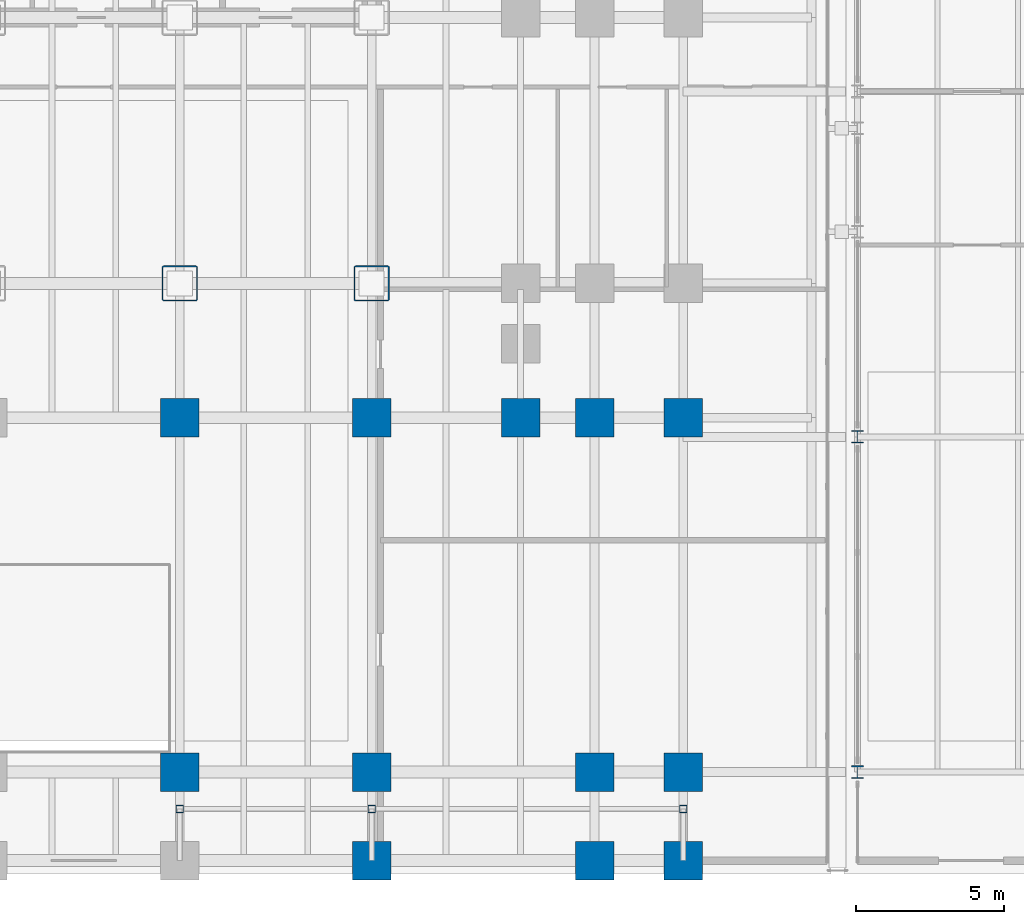
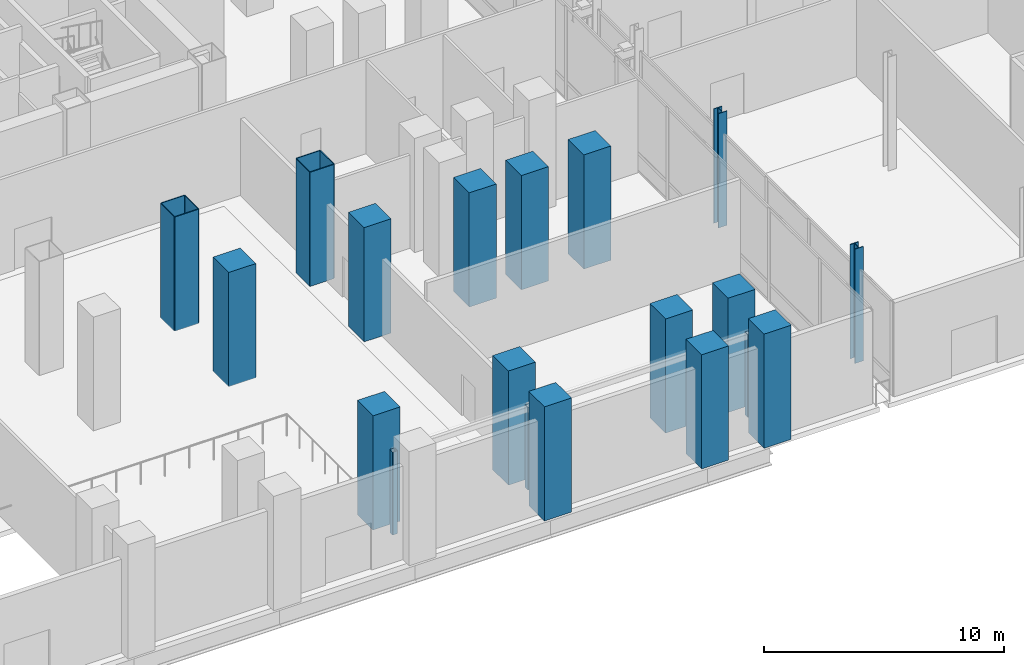
# One storey, part 2 of 36: 19 columns.
"""IFC4 building model written with IfcOpenShell, lengths in metres."""

import ifcopenshell
import ifcopenshell.guid

model = None  # the IFC model being written
_history = None  # IfcOwnerHistory: only IFC2X3 demands one
_inside = {}  # id of a spatial element -> (the spatial element, [elements in it])
_under = {}  # id of a project, library or spatial element -> (it, [spatial elements below it])
_declared = {}  # id of a project -> (the project, [libraries it declares])
_typed = {}  # id of a type object -> (the type object, [elements of that type])
_made_of = {}  # id of a material, layer set ... -> (it, [elements and type objects made of it])


def new_model(schema):
    """Start an empty IFC model of exactly this schema.

    Asked for "IFC4X3", IfcOpenShell would pick the latest addendum, in which some entities
    have other attributes; the version numbers below select the first issue.
    IFC2X3 requires an IfcOwnerHistory on every rooted entity: one is made here for all.
    """
    global model, _history
    if schema == "IFC4X3":
        model = ifcopenshell.file(schema_version=(4, 3, 0, 0))
    else:
        model = ifcopenshell.file(schema=schema)
    _inside.clear()
    _under.clear()
    _declared.clear()
    _typed.clear()
    _made_of.clear()
    _history = None
    if model.schema == "IFC2X3":
        org = make("IfcOrganization", Name="unknown")
        user = make(
            "IfcPersonAndOrganization",
            ThePerson=make("IfcPerson", FamilyName="unknown"),
            TheOrganization=org,
        )
        app = make(
            "IfcApplication",
            ApplicationDeveloper=org,
            Version="unknown",
            ApplicationFullName="unknown",
            ApplicationIdentifier="unknown",
        )
        _history = make(
            "IfcOwnerHistory",
            OwningUser=user,
            OwningApplication=app,
            ChangeAction="ADDED",
            CreationDate=0,
        )
    return model


def make(cls, **values):
    """One entity of the class cls with the attributes given. An attribute that is None is left unset."""
    return model.create_entity(
        cls, **{name: value for name, value in values.items() if value is not None}
    )


def rooted(cls, **values):
    """An entity with a GlobalId (a new one), such as an element, a storey or a relation."""
    return make(cls, GlobalId=ifcopenshell.guid.new(), OwnerHistory=_history, **values)


def si_unit(unit_type, name, prefix=None):
    """IfcSIUnit, for example si_unit("LENGTHUNIT", "METRE", prefix="MILLI")."""
    return make("IfcSIUnit", UnitType=unit_type, Prefix=prefix, Name=name)


def assignment(units):
    """IfcUnitAssignment: the units of a project."""
    return None if units is None else make("IfcUnitAssignment", Units=units)


def point(xyz):
    """IfcCartesianPoint."""
    return None if xyz is None else make("IfcCartesianPoint", Coordinates=xyz)


def direction(xyz):
    """IfcDirection."""
    return None if xyz is None else make("IfcDirection", DirectionRatios=xyz)


def frame(location, z_axis=None, x_axis=None):
    """IfcAxis2Placement3D, a coordinate frame: its origin and axes. An axis left out is left unset."""
    return make(
        "IfcAxis2Placement3D",
        Location=point(location),
        Axis=direction(z_axis),
        RefDirection=direction(x_axis),
    )


def frame_2d(location, x_axis=None):
    """IfcAxis2Placement2D, a coordinate frame in the plane: its origin and x axis."""
    return make(
        "IfcAxis2Placement2D", Location=point(location), RefDirection=direction(x_axis)
    )


def origin():
    """The frame at (0, 0, 0) with its axes left unset."""
    return frame((0.0, 0.0, 0.0))


def origin_2d():
    """The frame at (0, 0) in the plane with its x axis left unset."""
    return frame_2d((0.0, 0.0))


def place(relative_to, where):
    """IfcLocalPlacement: puts the frame where relative to a parent placement (None: the world)."""
    return make(
        "IfcLocalPlacement", PlacementRelTo=relative_to, RelativePlacement=where
    )


def context(
    kind, dimensions, precision=None, world=None, true_north=None, identifier=None
):
    """IfcGeometricRepresentationContext, for example the 3D "Model" context."""
    return make(
        "IfcGeometricRepresentationContext",
        ContextIdentifier=identifier,
        ContextType=kind,
        CoordinateSpaceDimension=dimensions,
        Precision=precision,
        WorldCoordinateSystem=world,
        TrueNorth=true_north,
    )


def subcontext(parent, identifier, kind, view, scale=None):
    """IfcGeometricRepresentationSubContext, for example "Body" below "Model"."""
    return make(
        "IfcGeometricRepresentationSubContext",
        ContextIdentifier=identifier,
        ContextType=kind,
        ParentContext=parent,
        TargetScale=scale,
        TargetView=view,
    )


def project(units=None, contexts=None):
    """IfcProject with its units and contexts."""
    return rooted(
        "IfcProject",
        Name="project",
        RepresentationContexts=contexts,
        UnitsInContext=assignment(units),
    )


def spatial(cls, under=None, at=None, **own):
    """A site, building, storey or space (cls), placed at a placement, below another one or the project."""
    s = rooted(cls, ObjectPlacement=at, **own)
    if under is not None:
        _under.setdefault(under.id(), (under, []))[1].append(s)
    return s


def profile(cls, at=None, kind="AREA", **sizes):
    """A parametric profile (cls). Its sizes go by their IFC names, for example OverallWidth=200.0."""
    return make(cls, ProfileType=kind, Position=at, **sizes)


def rectangle(**sizes):
    """IfcRectangleProfileDef."""
    return profile("IfcRectangleProfileDef", **sizes)


def hollow_rectangle(**sizes):
    """IfcRectangleHollowProfileDef."""
    return profile("IfcRectangleHollowProfileDef", **sizes)


def i_section(**sizes):
    """IfcIShapeProfileDef."""
    return profile("IfcIShapeProfileDef", **sizes)


def extrude(swept, where, along, depth):
    """IfcExtrudedAreaSolid: the profile swept, set in the frame where, extruded along a direction by depth."""
    return make(
        "IfcExtrudedAreaSolid",
        SweptArea=swept,
        Position=where,
        ExtrudedDirection=direction(along),
        Depth=depth,
    )


def shape(context_of_items, identifier, shape_type, items):
    """IfcShapeRepresentation: the items that make up one representation, for example the "Body"."""
    return make(
        "IfcShapeRepresentation",
        ContextOfItems=context_of_items,
        RepresentationIdentifier=identifier,
        RepresentationType=shape_type,
        Items=items,
    )


def material(Name=None, Category=None):
    """IfcMaterial."""
    return make("IfcMaterial", Name=Name, Category=Category)


def material_profile(
    of_material, cross_section, Name=None, Category=None, Priority=None
):
    """IfcMaterialProfile: a cross section and its material."""
    return make(
        "IfcMaterialProfile",
        Name=Name,
        Material=of_material,
        Profile=cross_section,
        Priority=Priority,
        Category=Category,
    )


def profile_set(profiles, Name=None, composite=None):
    """IfcMaterialProfileSet."""
    return make(
        "IfcMaterialProfileSet",
        Name=Name,
        MaterialProfiles=profiles,
        CompositeProfile=composite,
    )


def made_of(thing, what):
    """Note that an element or type object is made of a material, layer set ...; save() writes the relation."""
    if what is not None:
        _made_of.setdefault(what.id(), (what, []))[1].append(thing)
    return thing


def type_object(cls, material=None, **own):
    """A type object (cls), such as IfcWallType, which elements share."""
    return made_of(rooted(cls, **own), material)


def element(
    cls,
    number,
    at=None,
    inside=None,
    cuts=None,
    type_object=None,
    material=None,
    context=None,
    identifier="Body",
    shape_type=None,
    held_by="IfcProductDefinitionShape",
    body=None,
    shapes=None,
    **own,
):
    """One element of the class cls, such as IfcWall. Its Tag is "e" and its number.

    at: its placement. inside: the storey or other place that contains it. cuts: it is an
    opening in that element (IfcRelVoidsElement). A single representation is given by context,
    identifier, shape_type and body (its items); several are given by shapes. held_by: the class
    of the entity that holds the representations. save() writes the other relations.
    """
    e = rooted(cls, Tag="e%d" % number, ObjectPlacement=at, **own)
    if body is not None:
        shapes = [shape(context, identifier, shape_type, body)]
    if shapes is not None:
        e.Representation = make(held_by, Representations=shapes)
    if inside is not None:
        _inside.setdefault(inside.id(), (inside, []))[1].append(e)
    if cuts is not None:
        rooted(
            "IfcRelVoidsElement", RelatingBuildingElement=cuts, RelatedOpeningElement=e
        )
    if type_object is not None:
        _typed.setdefault(type_object.id(), (type_object, []))[1].append(e)
    return made_of(e, material)


def aggregate(whole, parts):
    """IfcRelAggregates: a whole, such as a stair, and the parts it consists of."""
    return rooted("IfcRelAggregates", RelatingObject=whole, RelatedObjects=parts)


def save(model, path):
    """Write the relations noted so far, then the file.

    IfcRelAggregates (storeys below a building ...), IfcRelContainedInSpatialStructure (elements
    in a storey), IfcRelDefinesByType, IfcRelAssociatesMaterial and IfcRelDeclares: one each for
    every whole, place, type object, material and project.
    """
    for whole, parts in _under.values():
        aggregate(whole, parts)
    for where, things in _inside.values():
        rooted(
            "IfcRelContainedInSpatialStructure",
            RelatedElements=things,
            RelatingStructure=where,
        )
    for kind, things in _typed.values():
        rooted("IfcRelDefinesByType", RelatedObjects=things, RelatingType=kind)
    for what, things in _made_of.values():
        rooted("IfcRelAssociatesMaterial", RelatedObjects=things, RelatingMaterial=what)
    for by, libraries in _declared.values():
        rooted("IfcRelDeclares", RelatingContext=by, RelatedDefinitions=libraries)
    model.write(path)


model = new_model("IFC4")

# Units and contexts
model_context = context("Model", 3, precision=1e-05, world=origin(), true_north=direction((0.0, 1.0)))
body_context = subcontext(model_context, "Body", "Model", "MODEL_VIEW")
ifc_project = project(units=[si_unit("LENGTHUNIT", "METRE"), si_unit("AREAUNIT", "SQUARE_METRE"), si_unit("VOLUMEUNIT", "CUBIC_METRE"), si_unit("PLANEANGLEUNIT", "RADIAN"), si_unit("MASSUNIT", "GRAM", prefix="KILO")], contexts=[model_context])

# Site, building, storey
site_placement = place(None, origin())
site = spatial("IfcSite", under=ifc_project, at=site_placement, CompositionType="ELEMENT")
building_placement = place(site_placement, origin())
building = spatial("IfcBuilding", under=site, at=building_placement, Name="Noeulbin Bourse Tower", CompositionType="ELEMENT")
storey_placement = place(building_placement, origin())
storey = spatial("IfcBuildingStorey", under=building, at=storey_placement, Name="L01", CompositionType="ELEMENT", Elevation=0.0)

# Columns
ifc_material_1 = material(Name="Steel S355", Category="steel")
ifc_material_profile_1 = material_profile(ifc_material_1, hollow_rectangle(XDim=0.25, YDim=0.25, WallThickness=0.010009765625, InnerFilletRadius=0.010009765625, OuterFilletRadius=0.02001953125, at=origin_2d()), Name="SHS-250x250x10", Category="LoadBearing")
ifc_profile_set_1 = profile_set([ifc_material_profile_1], Name="Steel S355")
column_type_1 = type_object("IfcColumnType", Name="COL-CAN-250", PredefinedType="COLUMN", material=ifc_profile_set_1)
for number, where, z_axis, x_axis, name in (
    (1, (37.5, 2.199951171875, 0.0), (0.0, 0.0, 1.0), (1.0, 0.0, 0.0), "Station Canopy Post C-CN1-1"),
    (2, (44.0, 2.199951171875, 0.0), (0.0, 0.0, 1.0), (1.0, 0.0, 0.0), "Station Canopy Post C-CN1-2"),
    (3, (54.550048828125, 2.199951171875, 0.0), (0.0, 0.0, 1.0), (1.0, 0.0, 0.0), "Station Canopy Post C-CN1-3"),
):
    element("IfcColumn", number, at=place(storey_placement, frame(where, z_axis=z_axis, x_axis=x_axis)), inside=storey, type_object=column_type_1, Name=name, PredefinedType="COLUMN", context=body_context, shape_type="SweptSolid", body=[
        extrude(hollow_rectangle(XDim=0.25, YDim=0.25, WallThickness=0.010009765625, InnerFilletRadius=0.010009765625, OuterFilletRadius=0.02001953125, at=origin_2d()), origin(), (0.0, 0.0, 1.0), 4.199951171875),
    ])
ifc_material_profile_2 = material_profile(ifc_material_1, i_section(OverallWidth=0.406982421875, OverallDepth=0.427978515625, WebThickness=0.02001953125, FlangeThickness=0.034912109375, FilletRadius=0.02197265625, at=origin_2d()), Name="H-428x407x20x35", Category="LoadBearing")
ifc_profile_set_2 = profile_set([ifc_material_profile_2], Name="Steel S355")
column_type_2 = type_object("IfcColumnType", Name="COL-MKT-ST", PredefinedType="COLUMN", material=ifc_profile_set_2)
for number, where, z_axis, x_axis, name in (
    (4, (60.449951171875, 3.449951171875, 0.0), (0.0, 0.0, 1.0), (1.0, 0.0, 0.0), "Market Hall Column COL-MKT-ST 01"),
    (5, (60.449951171875, 14.800048828125, 0.0), (0.0, 0.0, 1.0), (1.0, 0.0, 0.0), "Market Hall Column COL-MKT-ST 02"),
):
    element("IfcColumn", number, at=place(storey_placement, frame(where, z_axis=z_axis, x_axis=x_axis)), inside=storey, type_object=column_type_2, Name=name, PredefinedType="COLUMN", context=body_context, shape_type="SweptSolid", body=[
        extrude(i_section(OverallWidth=0.406982421875, OverallDepth=0.427978515625, WebThickness=0.02001953125, FlangeThickness=0.034912109375, FilletRadius=0.02197265625, at=origin_2d()), origin(), (0.0, 0.0, 1.0), 5.800048828125),
    ])
ifc_material_2 = material(Name="Concrete C60/75", Category="concrete")
ifc_material_profile_3 = material_profile(ifc_material_2, rectangle(XDim=1.300048828125, YDim=1.300048828125, at=origin_2d()), Name="RC-COL-1300x1300", Category="LoadBearing")
ifc_profile_set_3 = profile_set([ifc_material_profile_3], Name="Concrete C60/75")
column_type_3 = type_object("IfcColumnType", Name="COL-POD-RC", PredefinedType="COLUMN", material=ifc_profile_set_3)
for number, where, z_axis, x_axis, name in (
    (6, (37.5, 3.449951171875, 0.0), (0.0, 0.0, 1.0), (1.0, 0.0, 0.0), "Podium Column COL-POD-RC 45"),
    (7, (37.5, 15.449951171875, 0.0), (0.0, 0.0, 1.0), (1.0, 0.0, 0.0), "Podium Column COL-POD-RC 46"),
    (8, (44.0, 0.449951171875, 0.0), (0.0, 0.0, 1.0), (1.0, 0.0, 0.0), "Podium Column COL-POD-RC 50"),
    (9, (44.0, 3.449951171875, 0.0), (0.0, 0.0, 1.0), (1.0, 0.0, 0.0), "Podium Column COL-POD-RC 51"),
    (10, (44.0, 15.449951171875, 0.0), (0.0, 0.0, 1.0), (1.0, 0.0, 0.0), "Podium Column COL-POD-RC 52"),
    (11, (49.050048828125, 15.449951171875, 0.0), (0.0, 0.0, 1.0), (1.0, 0.0, 0.0), "Podium Column COL-POD-RC 56"),
    (12, (51.550048828125, 0.449951171875, 0.0), (0.0, 0.0, 1.0), (1.0, 0.0, 0.0), "Podium Column COL-POD-RC 63"),
    (13, (51.550048828125, 3.449951171875, 0.0), (0.0, 0.0, 1.0), (1.0, 0.0, 0.0), "Podium Column COL-POD-RC 64"),
    (14, (51.550048828125, 15.449951171875, 0.0), (0.0, 0.0, 1.0), (1.0, 0.0, 0.0), "Podium Column COL-POD-RC 65"),
    (15, (54.550048828125, 0.449951171875, 0.0), (0.0, 0.0, 1.0), (1.0, 0.0, 0.0), "Podium Column COL-POD-RC 72"),
    (16, (54.550048828125, 3.449951171875, 0.0), (0.0, 0.0, 1.0), (1.0, 0.0, 0.0), "Podium Column COL-POD-RC 73"),
    (17, (54.550048828125, 15.449951171875, 0.0), (0.0, 0.0, 1.0), (1.0, 0.0, 0.0), "Podium Column COL-POD-RC 74"),
):
    element("IfcColumn", number, at=place(storey_placement, frame(where, z_axis=z_axis, x_axis=x_axis)), inside=storey, type_object=column_type_3, Name=name, PredefinedType="COLUMN", context=body_context, shape_type="SweptSolid", body=[
        extrude(rectangle(XDim=1.300048828125, YDim=1.300048828125, at=origin_2d()), origin(), (0.0, 0.0, 1.0), 5.800048828125),
    ])
ifc_material_3 = material(Name="Steel S460", Category="steel")
ifc_material_profile_4 = material_profile(ifc_material_3, hollow_rectangle(XDim=1.199951171875, YDim=1.199951171875, WallThickness=0.0400390625, InnerFilletRadius=0.02001953125, OuterFilletRadius=0.06005859375, at=origin_2d()), Name="BOX-1200x1200x40", Category="LoadBearing")
ifc_profile_set_4 = profile_set([ifc_material_profile_4], Name="Steel S460")
column_type_4 = type_object("IfcColumnType", Name="COL-TRK-Z0", PredefinedType="COLUMN", material=ifc_profile_set_4)
for number, where, z_axis, x_axis, name in (
    (18, (37.5, 20.0, 0.0), (0.0, 0.0, 1.0), (1.0, 0.0, 0.0), "Tower Trunk Mega-Column COL-TRK-Z0 16"),
    (19, (44.0, 20.0, 0.0), (0.0, 0.0, 1.0), (1.0, 0.0, 0.0), "Tower Trunk Mega-Column COL-TRK-Z0 17"),
):
    element("IfcColumn", number, at=place(storey_placement, frame(where, z_axis=z_axis, x_axis=x_axis)), inside=storey, type_object=column_type_4, Name=name, PredefinedType="COLUMN", context=body_context, shape_type="SweptSolid", body=[
        extrude(hollow_rectangle(XDim=1.199951171875, YDim=1.199951171875, WallThickness=0.0400390625, InnerFilletRadius=0.02001953125, OuterFilletRadius=0.06005859375, at=origin_2d()), origin(), (0.0, 0.0, 1.0), 5.800048828125),
    ])

save(model, "model.ifc")
